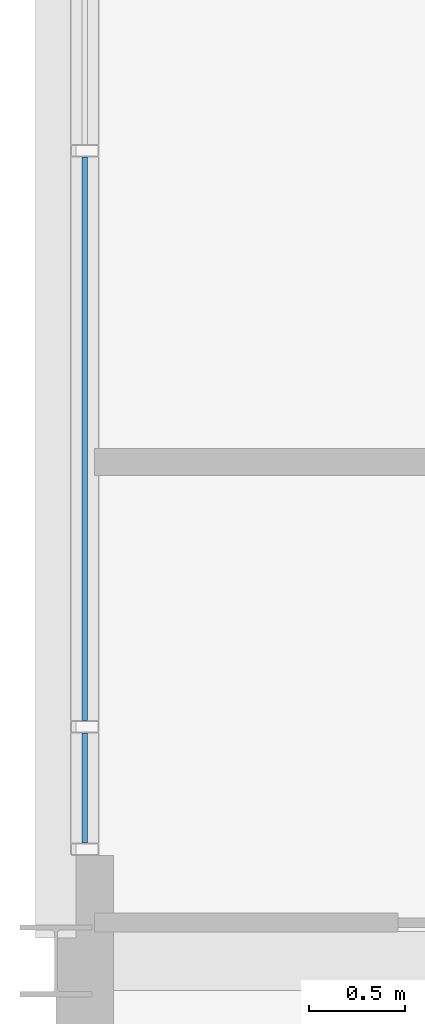
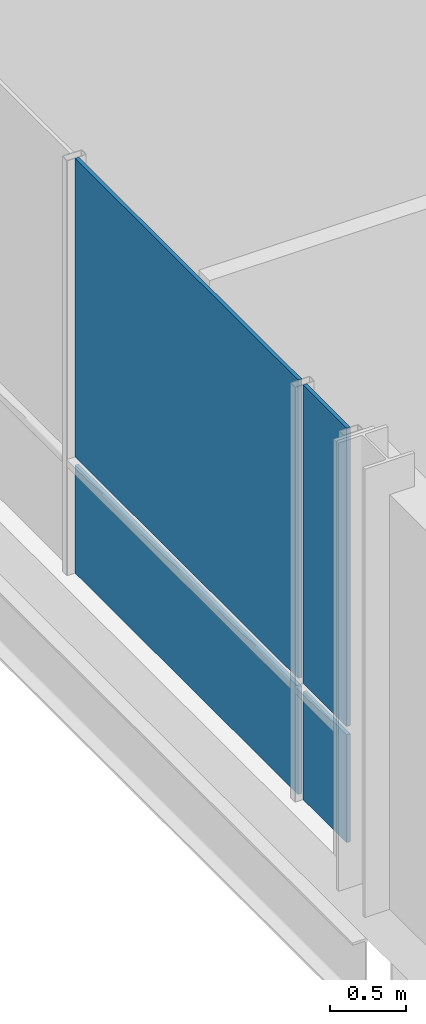
# One storey, part 21 of 35: 4 plates, 1 element without a shape of its own.
"""IFC4 building model written with IfcOpenShell, lengths in metres."""

from ifc_helpers import new_model, si_unit, direction, frame, origin, origin_2d, place, context, subcontext, project, spatial, rectangle, extrude, material, layer, layer_set, type_object, element, aggregate, save


model = new_model("IFC4")

# Units and contexts
model_context = context("Model", 3, precision=1e-05, world=origin(), true_north=direction((0.0, 1.0)))
body_context = subcontext(model_context, "Body", "Model", "MODEL_VIEW")
ifc_project = project(units=[si_unit("LENGTHUNIT", "METRE"), si_unit("AREAUNIT", "SQUARE_METRE"), si_unit("VOLUMEUNIT", "CUBIC_METRE"), si_unit("PLANEANGLEUNIT", "RADIAN"), si_unit("MASSUNIT", "GRAM", prefix="KILO")], contexts=[model_context])

# Site, building, storey
site_placement = place(None, origin())
site = spatial("IfcSite", under=ifc_project, at=site_placement, CompositionType="ELEMENT")
building_placement = place(site_placement, origin())
building = spatial("IfcBuilding", under=site, at=building_placement, Name="Brevholm Reach", CompositionType="ELEMENT")
storey_placement = place(building_placement, frame((0.0, 0.0, 214.39990234375)))
storey = spatial("IfcBuildingStorey", under=building, at=storey_placement, Name="L65", CompositionType="ELEMENT", Elevation=214.39990234375)

# Curtain wall, plates
ifc_material_1 = material(Name="Dark Anodised Aluminium 6063-T6 and Solar-Control Glass", Category="aluminium")
ifc_layer_1 = layer(ifc_material_1, 0.14990234375)
ifc_layer_set_1 = layer_set([ifc_layer_1], Name="Dark Anodised Aluminium 6063-T6 and Solar-Control Glass")
curtain_wall_type = type_object("IfcCurtainWallType", Name="CW-01", PredefinedType="NOTDEFINED", material=ifc_layer_set_1)
curtain_wall_placement = place(storey_placement, origin())
curtain_wall = element("IfcCurtainWall", 1, at=curtain_wall_placement, inside=storey, type_object=curtain_wall_type, Name="L65 Curtain Wall CW-01", PredefinedType="NOTDEFINED")
ifc_material_2 = material(Name="Dark Solar-Control Double-Glazed IGU Glass", Category="glass")
ifc_layer_2 = layer(ifc_material_2, 0.028076171875)
ifc_layer_set_2 = layer_set([ifc_layer_2], Name="Dark Solar-Control Double-Glazed IGU Glass")
plate_type = type_object("IfcPlateType", Name="CWP-GLZ-28", PredefinedType="CURTAIN_PANEL", material=ifc_layer_set_2)
plate_1_placement = place(storey_placement, frame((0.14990234375, 12.719970703125, 0.0), z_axis=(0.0, 0.0, 1.0), x_axis=(0.0, -1.0, 0.0)))
plate_1 = element("IfcPlate", 2, at=plate_1_placement, type_object=plate_type, Name="CP-01 Glazing Panel 4.1", PredefinedType="CURTAIN_PANEL", context=body_context, shape_type="SweptSolid", body=[
    extrude(rectangle(XDim=2.93505859375, YDim=0.028076171875, at=origin_2d()), origin(), (0.0, 0.0, 1.0), 0.867431640625),
])
plate_2_placement = place(storey_placement, frame((0.14990234375, 12.719970703125, 0.9326171875), z_axis=(0.0, 0.0, 1.0), x_axis=(0.0, -1.0, 0.0)))
plate_2 = element("IfcPlate", 3, at=plate_2_placement, type_object=plate_type, Name="CP-01 Glazing Panel 4.2", PredefinedType="CURTAIN_PANEL", context=body_context, shape_type="SweptSolid", body=[
    extrude(rectangle(XDim=2.93505859375, YDim=0.028076171875, at=origin_2d()), origin(), (0.0, 0.0, 1.0), 2.3974609375),
])
plate_3_placement = place(storey_placement, frame((0.14990234375, 10.9013671875, 0.0), z_axis=(0.0, 0.0, 1.0), x_axis=(0.0, -1.0, 0.0)))
plate_3 = element("IfcPlate", 4, at=plate_3_placement, type_object=plate_type, Name="CP-01 Glazing Panel 5.1", PredefinedType="CURTAIN_PANEL", context=body_context, shape_type="SweptSolid", body=[
    extrude(rectangle(XDim=0.572509765625, YDim=0.028076171875, at=origin_2d()), origin(), (0.0, 0.0, 1.0), 0.867431640625),
])
plate_4_placement = place(storey_placement, frame((0.14990234375, 10.9013671875, 0.9326171875), z_axis=(0.0, 0.0, 1.0), x_axis=(0.0, -1.0, 0.0)))
plate_4 = element("IfcPlate", 5, at=plate_4_placement, type_object=plate_type, Name="CP-01 Glazing Panel 5.2", PredefinedType="CURTAIN_PANEL", context=body_context, shape_type="SweptSolid", body=[
    extrude(rectangle(XDim=0.572509765625, YDim=0.028076171875, at=origin_2d()), origin(), (0.0, 0.0, 1.0), 2.3974609375),
])
aggregate(curtain_wall, [plate_1, plate_2, plate_3, plate_4])

save(model, "model.ifc")
